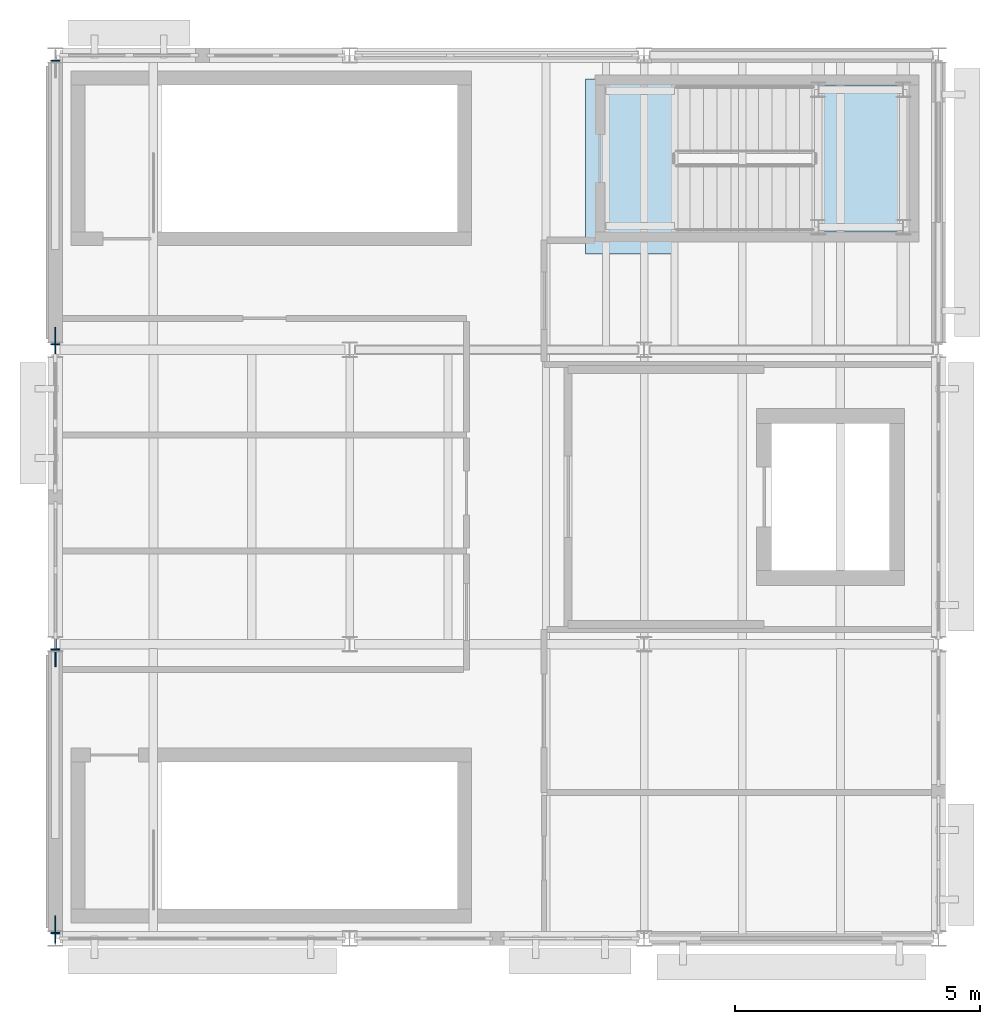
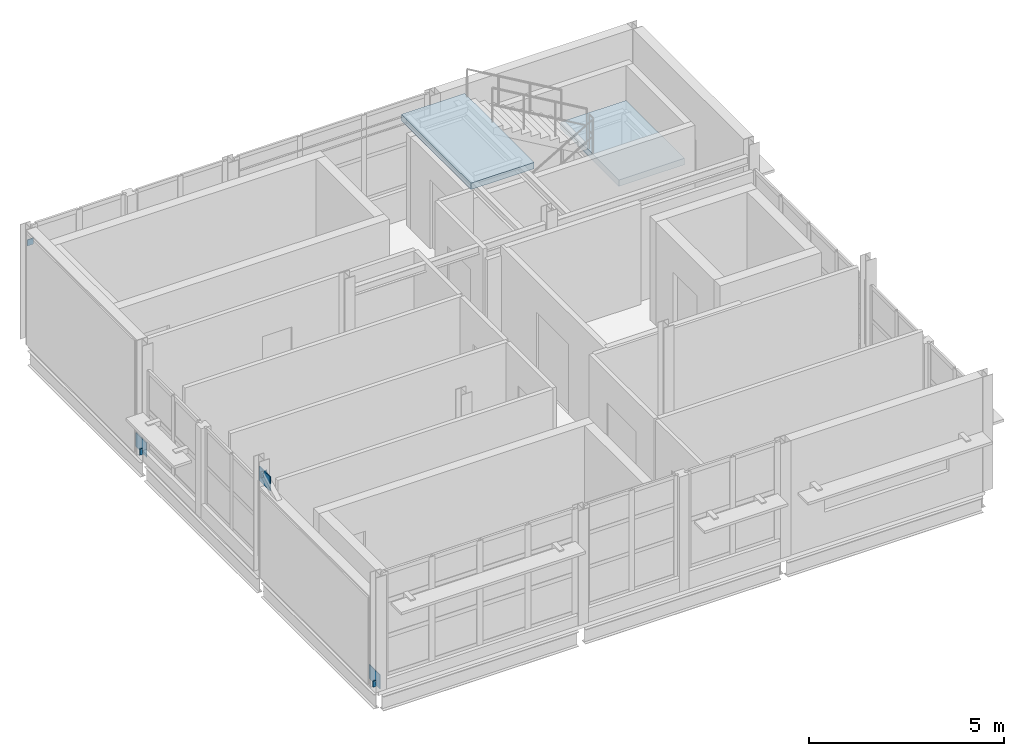
# One storey, part 5 of 8: 7 plates, 2 slabs, 1 element without a shape of its own.
"""IFC4 building model written with IfcOpenShell, lengths in metres."""

from ifc_helpers import new_model, si_unit, direction, frame, origin, origin_2d, place, context, subcontext, project, spatial, polyline, rectangle, outline, extrude, material, layer, layer_set, type_object, element, aggregate, save


model = new_model("IFC4")

# Units and contexts
model_context = context("Model", 3, precision=1e-05, world=origin(), true_north=direction((0.0, 1.0)))
body_context = subcontext(model_context, "Body", "Model", "MODEL_VIEW")
ifc_project = project(units=[si_unit("LENGTHUNIT", "METRE"), si_unit("AREAUNIT", "SQUARE_METRE"), si_unit("VOLUMEUNIT", "CUBIC_METRE"), si_unit("PLANEANGLEUNIT", "RADIAN"), si_unit("MASSUNIT", "GRAM", prefix="KILO")], contexts=[model_context])

# Site, building, storey
site_placement = place(None, origin())
site = spatial("IfcSite", under=ifc_project, at=site_placement, CompositionType="ELEMENT")
building_placement = place(site_placement, origin())
building = spatial("IfcBuilding", under=site, at=building_placement, Name="Siltcreek Boulevard Central Fire Station", CompositionType="ELEMENT")
storey_placement = place(building_placement, frame((0.0, 0.0, 21.60009765625)))
storey = spatial("IfcBuildingStorey", under=building, at=storey_placement, Name="L06", CompositionType="ELEMENT", Elevation=21.60009765625)

# Plates
ifc_material_1 = material(Name="Structural steel ASTM A572 Gr50", Category="steel")
ifc_layer_1 = layer(ifc_material_1, 0.02490234375, Name="Structural steel ASTM A572 Gr50")
ifc_layer_set_1 = layer_set([ifc_layer_1], Name="Structural steel ASTM A572 Gr50")
plate_type_1 = type_object("IfcPlateType", Name="PL_CAP25", PredefinedType="USERDEFINED", material=ifc_layer_set_1)
for number, where, z_axis, x_axis, name in (
    (1, (42.0, 94.310791015625, 0.0), (0.0, 0.0, 1.0), (0.0, 1.0, 0.0), "L06 SCBF concentrically braced frame BR-018 sealed end cap 1"),
    (2, (42.0, 100.08935546875, 3.059814453125), (0.0, 0.0, 1.0), (0.0, 1.0, 0.0), "L06 SCBF concentrically braced frame BR-018 sealed end cap 2"),
    (3, (42.0, 106.310791015625, 0.0), (0.0, 0.0, 1.0), (0.0, 1.0, 0.0), "L06 SCBF concentrically braced frame BR-024 sealed end cap 1"),
    (4, (42.0, 112.08935546875, 3.059814453125), (0.0, 0.0, 1.0), (0.0, 1.0, 0.0), "L06 SCBF concentrically braced frame BR-024 sealed end cap 2"),
):
    element("IfcPlate", number, at=place(storey_placement, frame(where, z_axis=z_axis, x_axis=x_axis)), inside=storey, type_object=plate_type_1, Name=name, ObjectType="END CAP", PredefinedType="USERDEFINED", context=body_context, shape_type="SweptSolid", body=[
        extrude(rectangle(XDim=0.02490234375, YDim=0.18994140625, at=origin_2d()), origin(), (0.0, 0.0, 1.0), 0.18994140625),
    ])
ifc_layer_2 = layer(ifc_material_1, 0.02197265625, Name="Structural steel ASTM A572 Gr50")
ifc_layer_set_2 = layer_set([ifc_layer_2], Name="Structural steel ASTM A572 Gr50")
plate_type_2 = type_object("IfcPlateType", Name="PL_GUS22", PredefinedType="USERDEFINED", material=ifc_layer_set_2)
for number, where, z_axis, x_axis, name in (
    (5, (42.0, 94.3798828125, 0.030029296875), (0.0, 0.0, 1.0), (0.0, 1.0, 0.0), "Seismic brace bot gusset plate GP-069"),
    (6, (42.0, 106.3798828125, 0.030029296875), (0.0, 0.0, 1.0), (0.0, 1.0, 0.0), "Seismic brace bot gusset plate GP-081"),
):
    element("IfcPlate", number, at=place(storey_placement, frame(where, z_axis=z_axis, x_axis=x_axis)), inside=storey, type_object=plate_type_2, Name=name, ObjectType="GUSSET PLATE", PredefinedType="USERDEFINED", context=body_context, shape_type="SweptSolid", body=[
        extrude(rectangle(XDim=0.56005859375, YDim=0.02197265625, at=origin_2d()), origin(), (0.0, 0.0, 1.0), 0.43994140625),
    ])
ifc_layer_3 = layer(ifc_material_1, 0.028076171875, Name="Structural steel ASTM A572 Gr50")
ifc_layer_set_3 = layer_set([ifc_layer_3], Name="Structural steel ASTM A572 Gr50")
plate_type_3 = type_object("IfcPlateType", Name="PL_GUS28", PredefinedType="USERDEFINED", material=ifc_layer_set_3)
plate_placement = place(storey_placement, frame((42.0, 100.02001953125, 2.829833984375), z_axis=(0.0, 0.0, 1.0), x_axis=(0.0, 1.0, 0.0)))
element("IfcPlate", 7, at=plate_placement, inside=storey, type_object=plate_type_3, Name="Seismic brace top gusset plate GP-070", ObjectType="GUSSET PLATE", PredefinedType="USERDEFINED", context=body_context, shape_type="SweptSolid", body=[
    extrude(rectangle(XDim=0.56005859375, YDim=0.028076171875, at=origin_2d()), origin(), (0.0, 0.0, 1.0), 0.43994140625),
])

# Stair, slabs
ifc_material_2 = material(Name="Precast concrete C40/50", Category="concrete")
stair_type = type_object("IfcStairType", Name="ST_DOG_H36", PredefinedType="HALF_TURN_STAIR", material=ifc_material_2)
stair_placement = place(storey_placement, origin())
stair = element("IfcStair", 8, at=stair_placement, inside=storey, type_object=stair_type, Name="L06 Enclosed exit stairway ST-V3-RF", PredefinedType="HALF_TURN_STAIR")
ifc_layer_4 = layer(ifc_material_2, 0.199951171875, Name="Precast concrete C40/50")
ifc_layer_set_4 = layer_set([ifc_layer_4], Name="Precast concrete C40/50")
slab_type = type_object("IfcSlabType", Name="SL_LAND200", PredefinedType="LANDING", material=ifc_layer_set_4)
slab_1_placement = place(storey_placement, frame((0.0, 0.0, 1.599853515625)))
slab_1 = element("IfcSlab", 9, at=slab_1_placement, type_object=slab_type, Name="ST-V3-RF landing 1", PredefinedType="LANDING", context=body_context, shape_type="SweptSolid", body=[
    extrude(outline(polyline([(57.449951171875, 108.60009765625), (59.39990234375, 108.60009765625), (59.39990234375, 111.60009765625), (57.449951171875, 111.60009765625), (57.449951171875, 108.60009765625)])), origin(), (0.0, 0.0, 1.0), 0.199951171875),
])
placement = place(building_placement, frame((0.0, 0.0, 25.199951171875)))
slab_2_placement = place(placement, frame((0.0, 0.0, -0.199951171875)))
slab_2 = element("IfcSlab", 10, at=slab_2_placement, type_object=slab_type, Name="Stair ST-V3-RF top arrival landing slab", PredefinedType="LANDING", context=body_context, shape_type="SweptSolid", body=[
    extrude(outline(polyline([(52.800048828125, 108.14990234375), (54.679931640625, 108.14990234375), (54.679931640625, 111.719970703125), (52.800048828125, 111.719970703125), (52.800048828125, 108.14990234375)])), origin(), (0.0, 0.0, 1.0), 0.199951171875),
])
aggregate(stair, [slab_1, slab_2])

save(model, "model.ifc")
